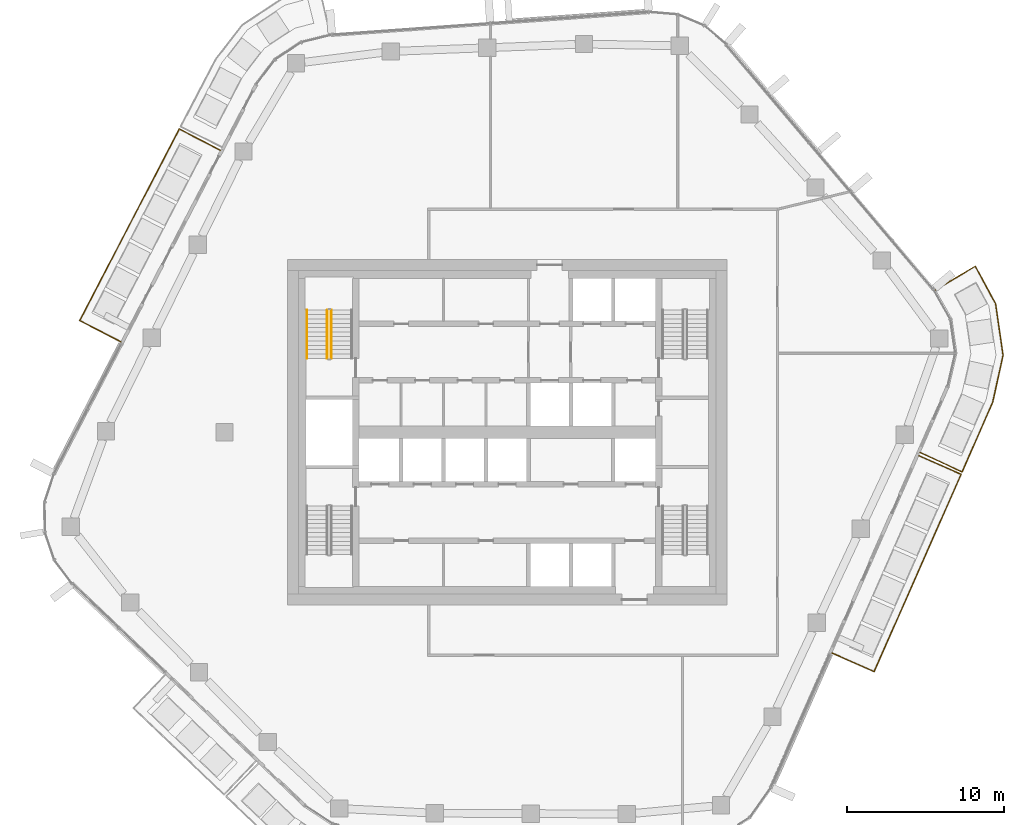
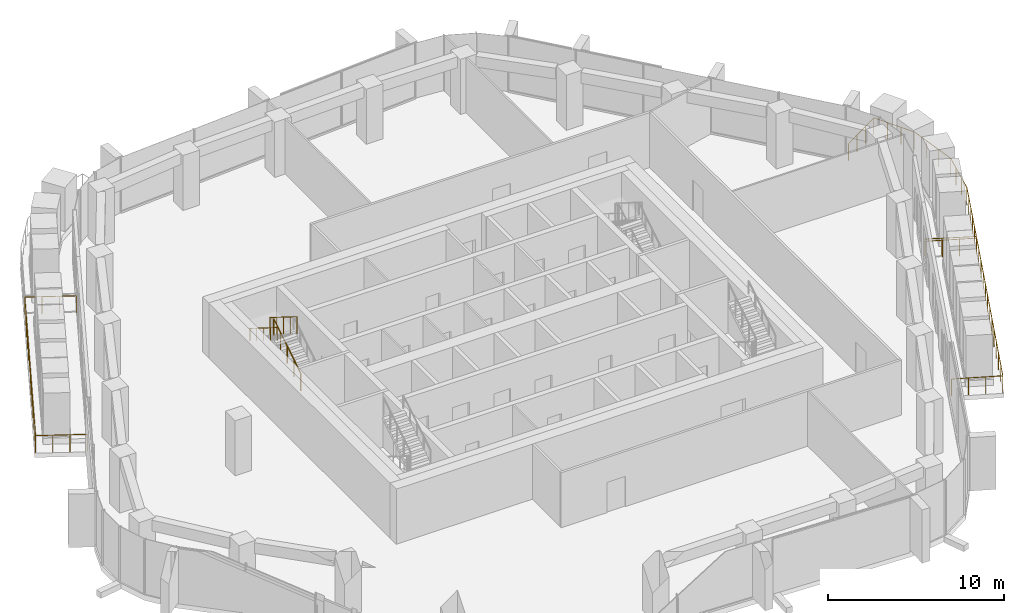
# One storey, part 18 of 21: 6 railings.
"""IFC4 building model written with IfcOpenShell, lengths in metres."""

import ifcopenshell
import ifcopenshell.guid

model = None  # the IFC model being written
_history = None  # IfcOwnerHistory: only IFC2X3 demands one
_inside = {}  # id of a spatial element -> (the spatial element, [elements in it])
_under = {}  # id of a project, library or spatial element -> (it, [spatial elements below it])
_declared = {}  # id of a project -> (the project, [libraries it declares])
_typed = {}  # id of a type object -> (the type object, [elements of that type])
_made_of = {}  # id of a material, layer set ... -> (it, [elements and type objects made of it])


def new_model(schema):
    """Start an empty IFC model of exactly this schema.

    Asked for "IFC4X3", IfcOpenShell would pick the latest addendum, in which some entities
    have other attributes; the version numbers below select the first issue.
    IFC2X3 requires an IfcOwnerHistory on every rooted entity: one is made here for all.
    """
    global model, _history
    if schema == "IFC4X3":
        model = ifcopenshell.file(schema_version=(4, 3, 0, 0))
    else:
        model = ifcopenshell.file(schema=schema)
    _inside.clear()
    _under.clear()
    _declared.clear()
    _typed.clear()
    _made_of.clear()
    _history = None
    if model.schema == "IFC2X3":
        org = make("IfcOrganization", Name="unknown")
        user = make(
            "IfcPersonAndOrganization",
            ThePerson=make("IfcPerson", FamilyName="unknown"),
            TheOrganization=org,
        )
        app = make(
            "IfcApplication",
            ApplicationDeveloper=org,
            Version="unknown",
            ApplicationFullName="unknown",
            ApplicationIdentifier="unknown",
        )
        _history = make(
            "IfcOwnerHistory",
            OwningUser=user,
            OwningApplication=app,
            ChangeAction="ADDED",
            CreationDate=0,
        )
    return model


def make(cls, **values):
    """One entity of the class cls with the attributes given. An attribute that is None is left unset."""
    return model.create_entity(
        cls, **{name: value for name, value in values.items() if value is not None}
    )


def rooted(cls, **values):
    """An entity with a GlobalId (a new one), such as an element, a storey or a relation."""
    return make(cls, GlobalId=ifcopenshell.guid.new(), OwnerHistory=_history, **values)


def si_unit(unit_type, name, prefix=None):
    """IfcSIUnit, for example si_unit("LENGTHUNIT", "METRE", prefix="MILLI")."""
    return make("IfcSIUnit", UnitType=unit_type, Prefix=prefix, Name=name)


def assignment(units):
    """IfcUnitAssignment: the units of a project."""
    return None if units is None else make("IfcUnitAssignment", Units=units)


def point(xyz):
    """IfcCartesianPoint."""
    return None if xyz is None else make("IfcCartesianPoint", Coordinates=xyz)


def direction(xyz):
    """IfcDirection."""
    return None if xyz is None else make("IfcDirection", DirectionRatios=xyz)


def frame(location, z_axis=None, x_axis=None):
    """IfcAxis2Placement3D, a coordinate frame: its origin and axes. An axis left out is left unset."""
    return make(
        "IfcAxis2Placement3D",
        Location=point(location),
        Axis=direction(z_axis),
        RefDirection=direction(x_axis),
    )


def frame_2d(location, x_axis=None):
    """IfcAxis2Placement2D, a coordinate frame in the plane: its origin and x axis."""
    return make(
        "IfcAxis2Placement2D", Location=point(location), RefDirection=direction(x_axis)
    )


def origin():
    """The frame at (0, 0, 0) with its axes left unset."""
    return frame((0.0, 0.0, 0.0))


def origin_2d():
    """The frame at (0, 0) in the plane with its x axis left unset."""
    return frame_2d((0.0, 0.0))


def place(relative_to, where):
    """IfcLocalPlacement: puts the frame where relative to a parent placement (None: the world)."""
    return make(
        "IfcLocalPlacement", PlacementRelTo=relative_to, RelativePlacement=where
    )


def context(
    kind, dimensions, precision=None, world=None, true_north=None, identifier=None
):
    """IfcGeometricRepresentationContext, for example the 3D "Model" context."""
    return make(
        "IfcGeometricRepresentationContext",
        ContextIdentifier=identifier,
        ContextType=kind,
        CoordinateSpaceDimension=dimensions,
        Precision=precision,
        WorldCoordinateSystem=world,
        TrueNorth=true_north,
    )


def subcontext(parent, identifier, kind, view, scale=None):
    """IfcGeometricRepresentationSubContext, for example "Body" below "Model"."""
    return make(
        "IfcGeometricRepresentationSubContext",
        ContextIdentifier=identifier,
        ContextType=kind,
        ParentContext=parent,
        TargetScale=scale,
        TargetView=view,
    )


def project(units=None, contexts=None):
    """IfcProject with its units and contexts."""
    return rooted(
        "IfcProject",
        Name="project",
        RepresentationContexts=contexts,
        UnitsInContext=assignment(units),
    )


def spatial(cls, under=None, at=None, **own):
    """A site, building, storey or space (cls), placed at a placement, below another one or the project."""
    s = rooted(cls, ObjectPlacement=at, **own)
    if under is not None:
        _under.setdefault(under.id(), (under, []))[1].append(s)
    return s


def profile(cls, at=None, kind="AREA", **sizes):
    """A parametric profile (cls). Its sizes go by their IFC names, for example OverallWidth=200.0."""
    return make(cls, ProfileType=kind, Position=at, **sizes)


def circle(**sizes):
    """IfcCircleProfileDef."""
    return profile("IfcCircleProfileDef", **sizes)


def extrude(swept, where, along, depth):
    """IfcExtrudedAreaSolid: the profile swept, set in the frame where, extruded along a direction by depth."""
    return make(
        "IfcExtrudedAreaSolid",
        SweptArea=swept,
        Position=where,
        ExtrudedDirection=direction(along),
        Depth=depth,
    )


def shape(context_of_items, identifier, shape_type, items):
    """IfcShapeRepresentation: the items that make up one representation, for example the "Body"."""
    return make(
        "IfcShapeRepresentation",
        ContextOfItems=context_of_items,
        RepresentationIdentifier=identifier,
        RepresentationType=shape_type,
        Items=items,
    )


def material(Name=None, Category=None):
    """IfcMaterial."""
    return make("IfcMaterial", Name=Name, Category=Category)


def made_of(thing, what):
    """Note that an element or type object is made of a material, layer set ...; save() writes the relation."""
    if what is not None:
        _made_of.setdefault(what.id(), (what, []))[1].append(thing)
    return thing


def type_object(cls, material=None, **own):
    """A type object (cls), such as IfcWallType, which elements share."""
    return made_of(rooted(cls, **own), material)


def element(
    cls,
    number,
    at=None,
    inside=None,
    cuts=None,
    type_object=None,
    material=None,
    context=None,
    identifier="Body",
    shape_type=None,
    held_by="IfcProductDefinitionShape",
    body=None,
    shapes=None,
    **own,
):
    """One element of the class cls, such as IfcWall. Its Tag is "e" and its number.

    at: its placement. inside: the storey or other place that contains it. cuts: it is an
    opening in that element (IfcRelVoidsElement). A single representation is given by context,
    identifier, shape_type and body (its items); several are given by shapes. held_by: the class
    of the entity that holds the representations. save() writes the other relations.
    """
    e = rooted(cls, Tag="e%d" % number, ObjectPlacement=at, **own)
    if body is not None:
        shapes = [shape(context, identifier, shape_type, body)]
    if shapes is not None:
        e.Representation = make(held_by, Representations=shapes)
    if inside is not None:
        _inside.setdefault(inside.id(), (inside, []))[1].append(e)
    if cuts is not None:
        rooted(
            "IfcRelVoidsElement", RelatingBuildingElement=cuts, RelatedOpeningElement=e
        )
    if type_object is not None:
        _typed.setdefault(type_object.id(), (type_object, []))[1].append(e)
    return made_of(e, material)


def aggregate(whole, parts):
    """IfcRelAggregates: a whole, such as a stair, and the parts it consists of."""
    return rooted("IfcRelAggregates", RelatingObject=whole, RelatedObjects=parts)


def save(model, path):
    """Write the relations noted so far, then the file.

    IfcRelAggregates (storeys below a building ...), IfcRelContainedInSpatialStructure (elements
    in a storey), IfcRelDefinesByType, IfcRelAssociatesMaterial and IfcRelDeclares: one each for
    every whole, place, type object, material and project.
    """
    for whole, parts in _under.values():
        aggregate(whole, parts)
    for where, things in _inside.values():
        rooted(
            "IfcRelContainedInSpatialStructure",
            RelatedElements=things,
            RelatingStructure=where,
        )
    for kind, things in _typed.values():
        rooted("IfcRelDefinesByType", RelatedObjects=things, RelatingType=kind)
    for what, things in _made_of.values():
        rooted("IfcRelAssociatesMaterial", RelatedObjects=things, RelatingMaterial=what)
    for by, libraries in _declared.values():
        rooted("IfcRelDeclares", RelatingContext=by, RelatedDefinitions=libraries)
    model.write(path)


model = new_model("IFC4")

# Units and contexts
model_context = context("Model", 3, precision=1e-05, world=origin(), true_north=direction((0.0, 1.0)))
body_context = subcontext(model_context, "Body", "Model", "MODEL_VIEW")
ifc_project = project(units=[si_unit("LENGTHUNIT", "METRE"), si_unit("AREAUNIT", "SQUARE_METRE"), si_unit("VOLUMEUNIT", "CUBIC_METRE"), si_unit("PLANEANGLEUNIT", "RADIAN"), si_unit("MASSUNIT", "GRAM", prefix="KILO")], contexts=[model_context])

# Site, building, storey
site_placement = place(None, origin())
site = spatial("IfcSite", under=ifc_project, at=site_placement, CompositionType="ELEMENT")
building_placement = place(site_placement, origin())
building = spatial("IfcBuilding", under=site, at=building_placement, Name="Dongbaek Canopy Tower", CompositionType="ELEMENT")
storey_placement = place(building_placement, frame((0.0, 0.0, 270.60009765625)))
storey = spatial("IfcBuildingStorey", under=building, at=storey_placement, Name="L57", CompositionType="ELEMENT", Elevation=270.60009765625)

# Railings
ifc_material_1 = material(Name="Stainless steel", Category="steel")
railing_type_1 = type_object("IfcRailingType", Name="Balcony balustrade 1200", PredefinedType="BALUSTRADE", material=ifc_material_1)
railing_1_placement = place(storey_placement, frame((-18.266845703125, 17.95263671875, 0.0)))
element("IfcRailing", 1, at=railing_1_placement, inside=storey, type_object=railing_type_1, Name="Balcony guard L57 1", PredefinedType="BALUSTRADE", context=body_context, shape_type="SweptSolid", body=[
    extrude(circle(Radius=0.02392578125, at=origin_2d()), frame((0.0, 0.0, 1.17578125), z_axis=(-0.88746276603, 0.460879419057, 0.0), x_axis=(-0.460879419057, -0.88746276603, 0.0)), (0.0, 0.0, 1.0), 2.93994140625),
    extrude(circle(Radius=0.02392578125, at=origin_2d()), frame((-2.609130859375, 1.35498046875, 1.17578125), z_axis=(-0.460893866628, -0.887455262932, 0.0), x_axis=(0.887455262932, -0.460893866628, 0.0)), (0.0, 0.0, 1.0), 13.738525390625),
    extrude(circle(Radius=0.02392578125, at=origin_2d()), frame((-8.941162109375, -10.83740234375, 1.17578125), z_axis=(0.88746276603, -0.460879419057, 0.0), x_axis=(0.460879419057, 0.88746276603, 0.0)), (0.0, 0.0, 1.0), 2.93994140625),
    extrude(circle(Radius=0.02099609375, at=origin_2d()), origin(), (0.0, 0.0, 1.0), 1.15185546875),
    extrude(circle(Radius=0.02099609375, at=origin_2d()), frame((-0.86962890625, 0.45166015625, 0.0)), (0.0, 0.0, 1.0), 1.15185546875),
    extrude(circle(Radius=0.02099609375, at=origin_2d()), frame((-1.739501953125, 0.9033203125, 0.0)), (0.0, 0.0, 1.0), 1.15185546875),
    extrude(circle(Radius=0.02099609375, at=origin_2d()), frame((-2.609130859375, 1.35498046875, 0.0)), (0.0, 0.0, 1.0), 1.15185546875),
    extrude(circle(Radius=0.02099609375, at=origin_2d()), frame((-3.13671875, 0.3388671875, 0.0)), (0.0, 0.0, 1.0), 1.15185546875),
    extrude(circle(Radius=0.02099609375, at=origin_2d()), frame((-3.66455078125, -0.677001953125, 0.0)), (0.0, 0.0, 1.0), 1.15185546875),
    extrude(circle(Radius=0.02099609375, at=origin_2d()), frame((-4.192138671875, -1.693115234375, 0.0)), (0.0, 0.0, 1.0), 1.15185546875),
    extrude(circle(Radius=0.02099609375, at=origin_2d()), frame((-4.7197265625, -2.709228515625, 0.0)), (0.0, 0.0, 1.0), 1.15185546875),
    extrude(circle(Radius=0.02099609375, at=origin_2d()), frame((-5.24755859375, -3.72509765625, 0.0)), (0.0, 0.0, 1.0), 1.15185546875),
    extrude(circle(Radius=0.02099609375, at=origin_2d()), frame((-5.775146484375, -4.7412109375, 0.0)), (0.0, 0.0, 1.0), 1.15185546875),
    extrude(circle(Radius=0.02099609375, at=origin_2d()), frame((-6.302734375, -5.75732421875, 0.0)), (0.0, 0.0, 1.0), 1.15185546875),
    extrude(circle(Radius=0.02099609375, at=origin_2d()), frame((-6.83056640625, -6.773193359375, 0.0)), (0.0, 0.0, 1.0), 1.15185546875),
    extrude(circle(Radius=0.02099609375, at=origin_2d()), frame((-7.358154296875, -7.789306640625, 0.0)), (0.0, 0.0, 1.0), 1.15185546875),
    extrude(circle(Radius=0.02099609375, at=origin_2d()), frame((-7.8857421875, -8.805419921875, 0.0)), (0.0, 0.0, 1.0), 1.15185546875),
    extrude(circle(Radius=0.02099609375, at=origin_2d()), frame((-8.41357421875, -9.8212890625, 0.0)), (0.0, 0.0, 1.0), 1.15185546875),
    extrude(circle(Radius=0.02099609375, at=origin_2d()), frame((-8.941162109375, -10.83740234375, 0.0)), (0.0, 0.0, 1.0), 1.15185546875),
    extrude(circle(Radius=0.02099609375, at=origin_2d()), frame((-8.071533203125, -11.2890625, 0.0)), (0.0, 0.0, 1.0), 1.15185546875),
    extrude(circle(Radius=0.02099609375, at=origin_2d()), frame((-7.20166015625, -11.74072265625, 0.0)), (0.0, 0.0, 1.0), 1.15185546875),
    extrude(circle(Radius=0.02099609375, at=origin_2d()), frame((-6.33203125, -12.1923828125, 0.0)), (0.0, 0.0, 1.0), 1.15185546875),
])
railing_2_placement = place(storey_placement, frame((20.66650390625, -14.046630859375, 0.0)))
element("IfcRailing", 2, at=railing_2_placement, inside=storey, type_object=railing_type_1, Name="Balcony guard L57 3", PredefinedType="BALUSTRADE", context=body_context, shape_type="SweptSolid", body=[
    extrude(circle(Radius=0.02392578125, at=origin_2d()), frame((0.0, 0.0, 1.17578125), z_axis=(0.915050344332, -0.403339642656, 0.0), x_axis=(0.403339642656, 0.915050344332, 0.0)), (0.0, 0.0, 1.0), 2.93994140625),
    extrude(circle(Radius=0.02392578125, at=origin_2d()), frame((2.690185546875, -1.185791015625, 1.17578125), z_axis=(0.403289373455, 0.915072500547, 0.0), x_axis=(-0.915072500547, 0.403289373455, 0.0)), (0.0, 0.0, 1.0), 13.724365234375),
    extrude(circle(Radius=0.02392578125, at=origin_2d()), frame((8.22509765625, 11.373046875, 1.17578125), z_axis=(-0.915094495807, 0.403239462036, 0.0), x_axis=(-0.403239462036, -0.915094495807, 0.0)), (0.0, 0.0, 1.0), 2.93994140625),
    extrude(circle(Radius=0.02099609375, at=origin_2d()), origin(), (0.0, 0.0, 1.0), 1.15185546875),
    extrude(circle(Radius=0.02099609375, at=origin_2d()), frame((0.896728515625, -0.395263671875, 0.0)), (0.0, 0.0, 1.0), 1.15185546875),
    extrude(circle(Radius=0.02099609375, at=origin_2d()), frame((1.79345703125, -0.79052734375, 0.0)), (0.0, 0.0, 1.0), 1.15185546875),
    extrude(circle(Radius=0.02099609375, at=origin_2d()), frame((2.690185546875, -1.185791015625, 0.0)), (0.0, 0.0, 1.0), 1.15185546875),
    extrude(circle(Radius=0.02099609375, at=origin_2d()), frame((3.1513671875, -0.13916015625, 0.0)), (0.0, 0.0, 1.0), 1.15185546875),
    extrude(circle(Radius=0.02099609375, at=origin_2d()), frame((3.61279296875, 0.9072265625, 0.0)), (0.0, 0.0, 1.0), 1.15185546875),
    extrude(circle(Radius=0.02099609375, at=origin_2d()), frame((4.073974609375, 1.953857421875, 0.0)), (0.0, 0.0, 1.0), 1.15185546875),
    extrude(circle(Radius=0.02099609375, at=origin_2d()), frame((4.53515625, 3.00048828125, 0.0)), (0.0, 0.0, 1.0), 1.15185546875),
    extrude(circle(Radius=0.02099609375, at=origin_2d()), frame((4.996337890625, 4.047119140625, 0.0)), (0.0, 0.0, 1.0), 1.15185546875),
    extrude(circle(Radius=0.02099609375, at=origin_2d()), frame((5.45751953125, 5.09375, 0.0)), (0.0, 0.0, 1.0), 1.15185546875),
    extrude(circle(Radius=0.02099609375, at=origin_2d()), frame((5.9189453125, 6.14013671875, 0.0)), (0.0, 0.0, 1.0), 1.15185546875),
    extrude(circle(Radius=0.02099609375, at=origin_2d()), frame((6.380126953125, 7.186767578125, 0.0)), (0.0, 0.0, 1.0), 1.15185546875),
    extrude(circle(Radius=0.02099609375, at=origin_2d()), frame((6.84130859375, 8.2333984375, 0.0)), (0.0, 0.0, 1.0), 1.15185546875),
    extrude(circle(Radius=0.02099609375, at=origin_2d()), frame((7.302734375, 9.27978515625, 0.0)), (0.0, 0.0, 1.0), 1.15185546875),
    extrude(circle(Radius=0.02099609375, at=origin_2d()), frame((7.763916015625, 10.326416015625, 0.0)), (0.0, 0.0, 1.0), 1.15185546875),
    extrude(circle(Radius=0.02099609375, at=origin_2d()), frame((8.22509765625, 11.373046875, 0.0)), (0.0, 0.0, 1.0), 1.15185546875),
    extrude(circle(Radius=0.02099609375, at=origin_2d()), frame((7.328369140625, 11.768310546875, 0.0)), (0.0, 0.0, 1.0), 1.15185546875),
    extrude(circle(Radius=0.02099609375, at=origin_2d()), frame((6.431396484375, 12.163330078125, 0.0)), (0.0, 0.0, 1.0), 1.15185546875),
    extrude(circle(Radius=0.02099609375, at=origin_2d()), frame((5.53466796875, 12.55859375, 0.0)), (0.0, 0.0, 1.0), 1.15185546875),
])
railing_3_placement = place(storey_placement, frame((26.2900390625, -1.28662109375, 0.0)))
element("IfcRailing", 3, at=railing_3_placement, inside=storey, type_object=railing_type_1, Name="Balcony guard L57 4", PredefinedType="BALUSTRADE", context=body_context, shape_type="SweptSolid", body=[
    extrude(circle(Radius=0.02392578125, at=origin_2d()), frame((0.0, 0.0, 1.17578125), z_axis=(0.906628060989, -0.42193075146, 0.0), x_axis=(0.42193075146, 0.906628060989, 0.0)), (0.0, 0.0, 1.0), 2.940673828125),
    extrude(circle(Radius=0.02392578125, at=origin_2d()), frame((2.666015625, -1.24072265625, 1.17578125), z_axis=(0.400881930572, 0.916129727572, 0.0), x_axis=(-0.916129727572, 0.400881930572, 0.0)), (0.0, 0.0, 1.0), 4.87158203125),
    extrude(circle(Radius=0.02392578125, at=origin_2d()), frame((4.618896484375, 3.22216796875, 1.17578125), z_axis=(0.214642720729, 0.976692634578, 0.0), x_axis=(-0.976692634578, 0.214642720729, 0.0)), (0.0, 0.0, 1.0), 3.040283203125),
    extrude(circle(Radius=0.02392578125, at=origin_2d()), frame((5.271484375, 6.191650390625, 1.17578125), z_axis=(-0.143124483091, 0.989704694512, 0.0), x_axis=(-0.989704694512, -0.143124483091, 0.0)), (0.0, 0.0, 1.0), 3.31103515625),
    extrude(circle(Radius=0.02392578125, at=origin_2d()), frame((4.797607421875, 9.468505859375, 1.17578125), z_axis=(-0.47722074837, 0.878783453033, 0.0), x_axis=(-0.878783453033, -0.47722074837, 0.0)), (0.0, 0.0, 1.0), 2.717041015625),
    extrude(circle(Radius=0.02392578125, at=origin_2d()), frame((3.5009765625, 11.856201171875, 1.17578125), z_axis=(-0.859471809309, -0.511183146244, 0.0), x_axis=(0.511183146244, -0.859471809309, 0.0)), (0.0, 0.0, 1.0), 2.940673828125),
    extrude(circle(Radius=0.02099609375, at=origin_2d()), origin(), (0.0, 0.0, 1.0), 1.15185546875),
    extrude(circle(Radius=0.02099609375, at=origin_2d()), frame((0.888671875, -0.41357421875, 0.0)), (0.0, 0.0, 1.0), 1.15185546875),
    extrude(circle(Radius=0.02099609375, at=origin_2d()), frame((1.77734375, -0.8271484375, 0.0)), (0.0, 0.0, 1.0), 1.15185546875),
    extrude(circle(Radius=0.02099609375, at=origin_2d()), frame((2.666015625, -1.24072265625, 0.0)), (0.0, 0.0, 1.0), 1.15185546875),
    extrude(circle(Radius=0.02099609375, at=origin_2d()), frame((3.056640625, -0.34814453125, 0.0)), (0.0, 0.0, 1.0), 1.15185546875),
    extrude(circle(Radius=0.02099609375, at=origin_2d()), frame((3.447265625, 0.54443359375, 0.0)), (0.0, 0.0, 1.0), 1.15185546875),
    extrude(circle(Radius=0.02099609375, at=origin_2d()), frame((3.837646484375, 1.43701171875, 0.0)), (0.0, 0.0, 1.0), 1.15185546875),
    extrude(circle(Radius=0.02099609375, at=origin_2d()), frame((4.228271484375, 2.32958984375, 0.0)), (0.0, 0.0, 1.0), 1.15185546875),
    extrude(circle(Radius=0.02099609375, at=origin_2d()), frame((4.618896484375, 3.22216796875, 0.0)), (0.0, 0.0, 1.0), 1.15185546875),
    extrude(circle(Radius=0.02099609375, at=origin_2d()), frame((4.83642578125, 4.2119140625, 0.0)), (0.0, 0.0, 1.0), 1.15185546875),
    extrude(circle(Radius=0.02099609375, at=origin_2d()), frame((5.053955078125, 5.201904296875, 0.0)), (0.0, 0.0, 1.0), 1.15185546875),
    extrude(circle(Radius=0.02099609375, at=origin_2d()), frame((5.271484375, 6.191650390625, 0.0)), (0.0, 0.0, 1.0), 1.15185546875),
    extrude(circle(Radius=0.02099609375, at=origin_2d()), frame((5.113525390625, 7.283935546875, 0.0)), (0.0, 0.0, 1.0), 1.15185546875),
    extrude(circle(Radius=0.02099609375, at=origin_2d()), frame((4.95556640625, 8.376220703125, 0.0)), (0.0, 0.0, 1.0), 1.15185546875),
    extrude(circle(Radius=0.02099609375, at=origin_2d()), frame((4.797607421875, 9.468505859375, 0.0)), (0.0, 0.0, 1.0), 1.15185546875),
    extrude(circle(Radius=0.02099609375, at=origin_2d()), frame((4.365478515625, 10.264404296875, 0.0)), (0.0, 0.0, 1.0), 1.15185546875),
    extrude(circle(Radius=0.02099609375, at=origin_2d()), frame((3.93310546875, 11.060302734375, 0.0)), (0.0, 0.0, 1.0), 1.15185546875),
    extrude(circle(Radius=0.02099609375, at=origin_2d()), frame((3.5009765625, 11.856201171875, 0.0)), (0.0, 0.0, 1.0), 1.15185546875),
    extrude(circle(Radius=0.02099609375, at=origin_2d()), frame((2.658447265625, 11.355224609375, 0.0)), (0.0, 0.0, 1.0), 1.15185546875),
    extrude(circle(Radius=0.02099609375, at=origin_2d()), frame((1.816162109375, 10.85400390625, 0.0)), (0.0, 0.0, 1.0), 1.15185546875),
    extrude(circle(Radius=0.02099609375, at=origin_2d()), frame((0.9736328125, 10.35302734375, 0.0)), (0.0, 0.0, 1.0), 1.15185546875),
])
ifc_material_2 = material(Name="Stainless steel tube and balusters", Category="steel")
railing_type_2 = type_object("IfcRailingType", Name="Stair guard 1200", PredefinedType="GUARDRAIL", material=ifc_material_2)
railing_4_placement = place(storey_placement, frame((-11.199951171875, 4.699951171875, 0.1748046875)))
element("IfcRailing", 4, at=railing_4_placement, inside=storey, type_object=railing_type_2, Name="L57 ST-C stair guard 1", PredefinedType="GUARDRAIL", context=body_context, shape_type="SweptSolid", body=[
    extrude(circle(Radius=0.02392578125, at=origin_2d()), frame((0.0, 0.0, 1.17578125), z_axis=(0.0, 0.847998304005, 0.529998940003), x_axis=(-1.0, 0.0, 0.0)), (0.0, 0.0, 1.0), 3.632080078125),
    extrude(circle(Radius=0.02099609375, at=origin_2d()), origin(), (0.0, 0.0, 1.0), 1.15185546875),
    extrude(circle(Radius=0.02099609375, at=origin_2d()), frame((0.0, 0.77001953125, 0.481201171875)), (0.0, 0.0, 1.0), 1.15185546875),
    extrude(circle(Radius=0.02099609375, at=origin_2d()), frame((0.0, 1.5400390625, 0.96240234375)), (0.0, 0.0, 1.0), 1.15185546875),
    extrude(circle(Radius=0.02099609375, at=origin_2d()), frame((0.0, 2.31005859375, 1.44384765625)), (0.0, 0.0, 1.0), 1.15185546875),
    extrude(circle(Radius=0.02099609375, at=origin_2d()), frame((0.0, 3.080078125, 1.925048828125)), (0.0, 0.0, 1.0), 1.15185546875),
])
railing_5_placement = place(storey_placement, frame((-11.449951171875, 7.780029296875, 2.27490234375)))
element("IfcRailing", 5, at=railing_5_placement, inside=storey, type_object=railing_type_2, Name="L57 ST-C stair guard 3", PredefinedType="GUARDRAIL", context=body_context, shape_type="SweptSolid", body=[
    extrude(circle(Radius=0.02392578125, at=origin_2d()), frame((0.0, 0.0, 1.17578125), z_axis=(0.0, -0.847998304005, 0.529998940003), x_axis=(1.0, 0.0, 0.0)), (0.0, 0.0, 1.0), 3.632080078125),
    extrude(circle(Radius=0.02099609375, at=origin_2d()), origin(), (0.0, 0.0, 1.0), 1.15185546875),
    extrude(circle(Radius=0.02099609375, at=origin_2d()), frame((0.0, -0.77001953125, 0.481201171875)), (0.0, 0.0, 1.0), 1.15185546875),
    extrude(circle(Radius=0.02099609375, at=origin_2d()), frame((0.0, -1.5400390625, 0.96240234375)), (0.0, 0.0, 1.0), 1.15185546875),
    extrude(circle(Radius=0.02099609375, at=origin_2d()), frame((0.0, -2.31005859375, 1.44384765625)), (0.0, 0.0, 1.0), 1.15185546875),
    extrude(circle(Radius=0.02099609375, at=origin_2d()), frame((0.0, -3.080078125, 1.925048828125)), (0.0, 0.0, 1.0), 1.15185546875),
])
ifc_material_3 = material(Name="Stainless steel tube", Category="steel")
railing_type_3 = type_object("IfcRailingType", Name="Stair handrail 900", PredefinedType="HANDRAIL", material=ifc_material_3)
railing_6_placement = place(storey_placement, frame((-12.75, 7.780029296875, 2.27490234375)))
element("IfcRailing", 6, at=railing_6_placement, inside=storey, type_object=railing_type_3, Name="L57 ST-C stair handrail 2", PredefinedType="HANDRAIL", context=body_context, shape_type="SweptSolid", body=[
    extrude(circle(Radius=0.02392578125, at=origin_2d()), frame((0.0, 0.0, 0.8759765625), z_axis=(0.0, -0.847998304005, 0.529998940003), x_axis=(1.0, 0.0, 0.0)), (0.0, 0.0, 1.0), 3.632080078125),
    extrude(circle(Radius=0.02099609375, at=origin_2d()), origin(), (0.0, 0.0, 1.0), 0.851806640625),
    extrude(circle(Radius=0.02099609375, at=origin_2d()), frame((0.0, -0.77001953125, 0.481201171875)), (0.0, 0.0, 1.0), 0.851806640625),
    extrude(circle(Radius=0.02099609375, at=origin_2d()), frame((0.0, -1.5400390625, 0.96240234375)), (0.0, 0.0, 1.0), 0.851806640625),
    extrude(circle(Radius=0.02099609375, at=origin_2d()), frame((0.0, -2.31005859375, 1.44384765625)), (0.0, 0.0, 1.0), 0.851806640625),
    extrude(circle(Radius=0.02099609375, at=origin_2d()), frame((0.0, -3.080078125, 1.925048828125)), (0.0, 0.0, 1.0), 0.851806640625),
])

save(model, "model.ifc")
